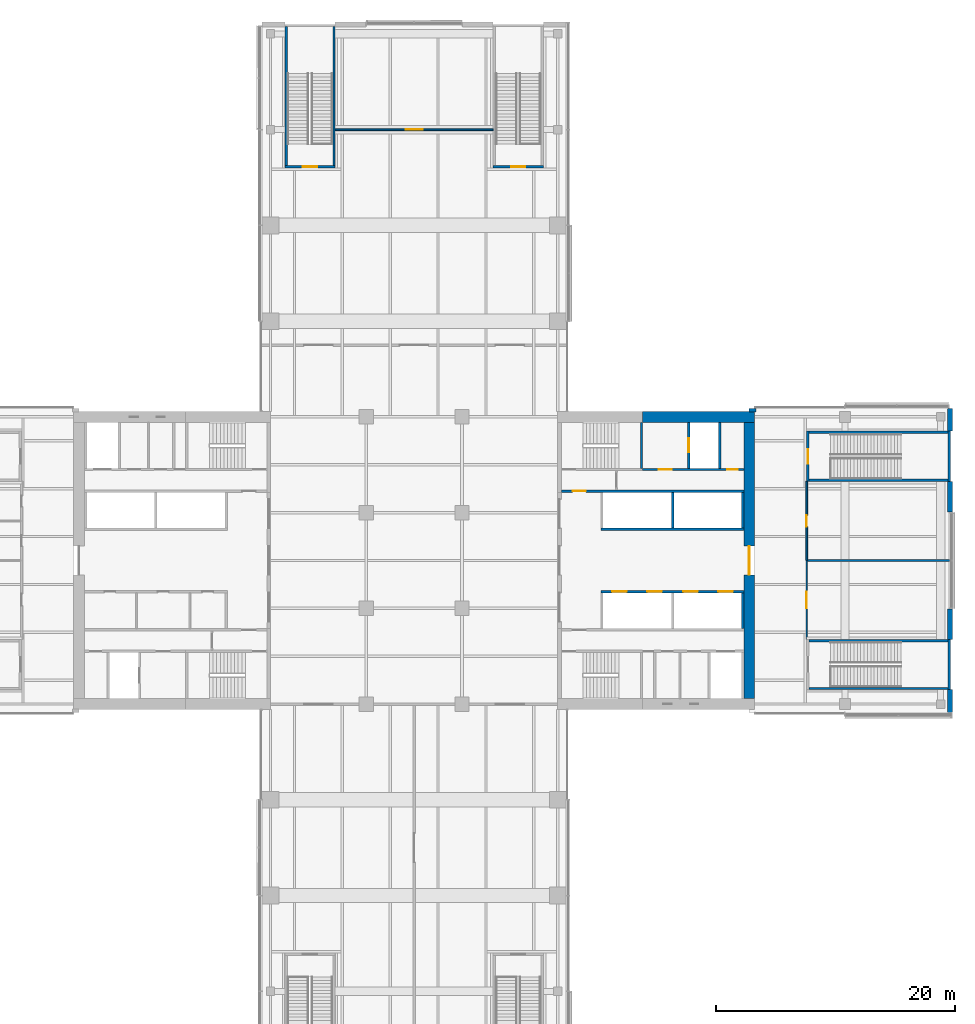
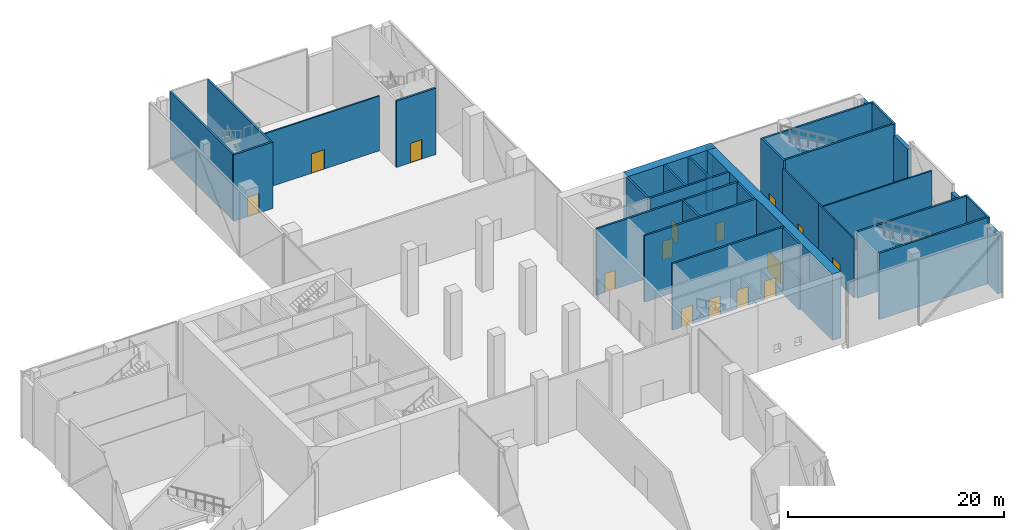
# One storey, part 17 of 25: 32 walls, 15 doors, 15 openings.
"""IFC4 building model written with IfcOpenShell, lengths in metres."""

import ifcopenshell
import ifcopenshell.guid

model = None  # the IFC model being written
_history = None  # IfcOwnerHistory: only IFC2X3 demands one
_inside = {}  # id of a spatial element -> (the spatial element, [elements in it])
_under = {}  # id of a project, library or spatial element -> (it, [spatial elements below it])
_declared = {}  # id of a project -> (the project, [libraries it declares])
_typed = {}  # id of a type object -> (the type object, [elements of that type])
_made_of = {}  # id of a material, layer set ... -> (it, [elements and type objects made of it])


def new_model(schema):
    """Start an empty IFC model of exactly this schema.

    Asked for "IFC4X3", IfcOpenShell would pick the latest addendum, in which some entities
    have other attributes; the version numbers below select the first issue.
    IFC2X3 requires an IfcOwnerHistory on every rooted entity: one is made here for all.
    """
    global model, _history
    if schema == "IFC4X3":
        model = ifcopenshell.file(schema_version=(4, 3, 0, 0))
    else:
        model = ifcopenshell.file(schema=schema)
    _inside.clear()
    _under.clear()
    _declared.clear()
    _typed.clear()
    _made_of.clear()
    _history = None
    if model.schema == "IFC2X3":
        org = make("IfcOrganization", Name="unknown")
        user = make(
            "IfcPersonAndOrganization",
            ThePerson=make("IfcPerson", FamilyName="unknown"),
            TheOrganization=org,
        )
        app = make(
            "IfcApplication",
            ApplicationDeveloper=org,
            Version="unknown",
            ApplicationFullName="unknown",
            ApplicationIdentifier="unknown",
        )
        _history = make(
            "IfcOwnerHistory",
            OwningUser=user,
            OwningApplication=app,
            ChangeAction="ADDED",
            CreationDate=0,
        )
    return model


def make(cls, **values):
    """One entity of the class cls with the attributes given. An attribute that is None is left unset."""
    return model.create_entity(
        cls, **{name: value for name, value in values.items() if value is not None}
    )


def rooted(cls, **values):
    """An entity with a GlobalId (a new one), such as an element, a storey or a relation."""
    return make(cls, GlobalId=ifcopenshell.guid.new(), OwnerHistory=_history, **values)


def si_unit(unit_type, name, prefix=None):
    """IfcSIUnit, for example si_unit("LENGTHUNIT", "METRE", prefix="MILLI")."""
    return make("IfcSIUnit", UnitType=unit_type, Prefix=prefix, Name=name)


def assignment(units):
    """IfcUnitAssignment: the units of a project."""
    return None if units is None else make("IfcUnitAssignment", Units=units)


def point(xyz):
    """IfcCartesianPoint."""
    return None if xyz is None else make("IfcCartesianPoint", Coordinates=xyz)


def direction(xyz):
    """IfcDirection."""
    return None if xyz is None else make("IfcDirection", DirectionRatios=xyz)


def frame(location, z_axis=None, x_axis=None):
    """IfcAxis2Placement3D, a coordinate frame: its origin and axes. An axis left out is left unset."""
    return make(
        "IfcAxis2Placement3D",
        Location=point(location),
        Axis=direction(z_axis),
        RefDirection=direction(x_axis),
    )


def frame_2d(location, x_axis=None):
    """IfcAxis2Placement2D, a coordinate frame in the plane: its origin and x axis."""
    return make(
        "IfcAxis2Placement2D", Location=point(location), RefDirection=direction(x_axis)
    )


def origin():
    """The frame at (0, 0, 0) with its axes left unset."""
    return frame((0.0, 0.0, 0.0))


def place(relative_to, where):
    """IfcLocalPlacement: puts the frame where relative to a parent placement (None: the world)."""
    return make(
        "IfcLocalPlacement", PlacementRelTo=relative_to, RelativePlacement=where
    )


def context(
    kind, dimensions, precision=None, world=None, true_north=None, identifier=None
):
    """IfcGeometricRepresentationContext, for example the 3D "Model" context."""
    return make(
        "IfcGeometricRepresentationContext",
        ContextIdentifier=identifier,
        ContextType=kind,
        CoordinateSpaceDimension=dimensions,
        Precision=precision,
        WorldCoordinateSystem=world,
        TrueNorth=true_north,
    )


def subcontext(parent, identifier, kind, view, scale=None):
    """IfcGeometricRepresentationSubContext, for example "Body" below "Model"."""
    return make(
        "IfcGeometricRepresentationSubContext",
        ContextIdentifier=identifier,
        ContextType=kind,
        ParentContext=parent,
        TargetScale=scale,
        TargetView=view,
    )


def project(units=None, contexts=None):
    """IfcProject with its units and contexts."""
    return rooted(
        "IfcProject",
        Name="project",
        RepresentationContexts=contexts,
        UnitsInContext=assignment(units),
    )


def spatial(cls, under=None, at=None, **own):
    """A site, building, storey or space (cls), placed at a placement, below another one or the project."""
    s = rooted(cls, ObjectPlacement=at, **own)
    if under is not None:
        _under.setdefault(under.id(), (under, []))[1].append(s)
    return s


def profile(cls, at=None, kind="AREA", **sizes):
    """A parametric profile (cls). Its sizes go by their IFC names, for example OverallWidth=200.0."""
    return make(cls, ProfileType=kind, Position=at, **sizes)


def rectangle(**sizes):
    """IfcRectangleProfileDef."""
    return profile("IfcRectangleProfileDef", **sizes)


def extrude(swept, where, along, depth):
    """IfcExtrudedAreaSolid: the profile swept, set in the frame where, extruded along a direction by depth."""
    return make(
        "IfcExtrudedAreaSolid",
        SweptArea=swept,
        Position=where,
        ExtrudedDirection=direction(along),
        Depth=depth,
    )


def shape(context_of_items, identifier, shape_type, items):
    """IfcShapeRepresentation: the items that make up one representation, for example the "Body"."""
    return make(
        "IfcShapeRepresentation",
        ContextOfItems=context_of_items,
        RepresentationIdentifier=identifier,
        RepresentationType=shape_type,
        Items=items,
    )


def material(Name=None, Category=None):
    """IfcMaterial."""
    return make("IfcMaterial", Name=Name, Category=Category)


def layer(
    of_material, thickness, ventilated=None, Name=None, Category=None, Priority=None
):
    """IfcMaterialLayer: one layer of a wall or slab, of a material (None: an air gap)."""
    return make(
        "IfcMaterialLayer",
        Material=of_material,
        LayerThickness=thickness,
        IsVentilated=ventilated,
        Name=Name,
        Category=Category,
        Priority=Priority,
    )


def layer_set(layers, Name=None):
    """IfcMaterialLayerSet."""
    return make("IfcMaterialLayerSet", MaterialLayers=layers, LayerSetName=Name)


def constituent(of_material, Name=None, Category=None, fraction=None):
    """IfcMaterialConstituent: one of the materials an element consists of."""
    return make(
        "IfcMaterialConstituent",
        Name=Name,
        Material=of_material,
        Fraction=fraction,
        Category=Category,
    )


def constituent_set(constituents=None, Name=None):
    """IfcMaterialConstituentSet."""
    return make(
        "IfcMaterialConstituentSet", Name=Name, MaterialConstituents=constituents
    )


def made_of(thing, what):
    """Note that an element or type object is made of a material, layer set ...; save() writes the relation."""
    if what is not None:
        _made_of.setdefault(what.id(), (what, []))[1].append(thing)
    return thing


def type_object(cls, material=None, **own):
    """A type object (cls), such as IfcWallType, which elements share."""
    return made_of(rooted(cls, **own), material)


def element(
    cls,
    number,
    at=None,
    inside=None,
    cuts=None,
    type_object=None,
    material=None,
    context=None,
    identifier="Body",
    shape_type=None,
    held_by="IfcProductDefinitionShape",
    body=None,
    shapes=None,
    **own,
):
    """One element of the class cls, such as IfcWall. Its Tag is "e" and its number.

    at: its placement. inside: the storey or other place that contains it. cuts: it is an
    opening in that element (IfcRelVoidsElement). A single representation is given by context,
    identifier, shape_type and body (its items); several are given by shapes. held_by: the class
    of the entity that holds the representations. save() writes the other relations.
    """
    e = rooted(cls, Tag="e%d" % number, ObjectPlacement=at, **own)
    if body is not None:
        shapes = [shape(context, identifier, shape_type, body)]
    if shapes is not None:
        e.Representation = make(held_by, Representations=shapes)
    if inside is not None:
        _inside.setdefault(inside.id(), (inside, []))[1].append(e)
    if cuts is not None:
        rooted(
            "IfcRelVoidsElement", RelatingBuildingElement=cuts, RelatedOpeningElement=e
        )
    if type_object is not None:
        _typed.setdefault(type_object.id(), (type_object, []))[1].append(e)
    return made_of(e, material)


def fill(opening, filler):
    """IfcRelFillsElement: the door or window that sits in an opening."""
    return rooted(
        "IfcRelFillsElement",
        RelatingOpeningElement=opening,
        RelatedBuildingElement=filler,
    )


def aggregate(whole, parts):
    """IfcRelAggregates: a whole, such as a stair, and the parts it consists of."""
    return rooted("IfcRelAggregates", RelatingObject=whole, RelatedObjects=parts)


def save(model, path):
    """Write the relations noted so far, then the file.

    IfcRelAggregates (storeys below a building ...), IfcRelContainedInSpatialStructure (elements
    in a storey), IfcRelDefinesByType, IfcRelAssociatesMaterial and IfcRelDeclares: one each for
    every whole, place, type object, material and project.
    """
    for whole, parts in _under.values():
        aggregate(whole, parts)
    for where, things in _inside.values():
        rooted(
            "IfcRelContainedInSpatialStructure",
            RelatedElements=things,
            RelatingStructure=where,
        )
    for kind, things in _typed.values():
        rooted("IfcRelDefinesByType", RelatedObjects=things, RelatingType=kind)
    for what, things in _made_of.values():
        rooted("IfcRelAssociatesMaterial", RelatedObjects=things, RelatingMaterial=what)
    for by, libraries in _declared.values():
        rooted("IfcRelDeclares", RelatingContext=by, RelatedDefinitions=libraries)
    model.write(path)


model = new_model("IFC4")

# Units and contexts
model_context = context("Model", 3, precision=1e-05, world=origin(), true_north=direction((0.0, 1.0)))
body_context = subcontext(model_context, "Body", "Model", "MODEL_VIEW")
ifc_project = project(units=[si_unit("LENGTHUNIT", "METRE"), si_unit("AREAUNIT", "SQUARE_METRE"), si_unit("VOLUMEUNIT", "CUBIC_METRE"), si_unit("PLANEANGLEUNIT", "RADIAN"), si_unit("MASSUNIT", "GRAM", prefix="KILO")], contexts=[model_context])

# Site, building, storey
site_placement = place(None, origin())
site = spatial("IfcSite", under=ifc_project, at=site_placement, CompositionType="ELEMENT")
building_placement = place(site_placement, origin())
building = spatial("IfcBuilding", under=site, at=building_placement, Name="Crosswind Convention Tower", CompositionType="ELEMENT")
storey_placement = place(building_placement, frame((0.0, 0.0, 34.0)))
storey = spatial("IfcBuildingStorey", under=building, at=storey_placement, Name="L04", CompositionType="ELEMENT", Elevation=34.0)

# Wall, opening, door
ifc_material_1 = material(Name="Plasterboard partition", Category="gypsum")
ifc_layer_1 = layer(ifc_material_1, 0.14990234375)
ifc_layer_set_1 = layer_set([ifc_layer_1], Name="CORRIDOR WALL 150")
wall_type_1 = type_object("IfcWallType", Name="CORRIDOR WALL 150", PredefinedType="PARTITIONING", material=ifc_layer_set_1)
wall_1_placement = place(storey_placement, frame((157.800048828125, 100.0, 0.0), z_axis=(0.0, 0.0, 1.0), x_axis=(0.0, 1.0, 0.0)))
wall_1 = element("IfcWall", 1, at=wall_1_placement, inside=storey, type_object=wall_type_1, Name="Corridor Wall 40", PredefinedType="PARTITIONING", context=body_context, shape_type="SweptSolid", body=[
    extrude(rectangle(XDim=6.60009765625, YDim=0.14990234375, at=frame_2d((3.300048828125, 0.0))), origin(), (0.0, 0.0, 1.0), 6.636474609375),
])
opening_1_placement = place(wall_1_placement, frame((2.800048828125, 0.0, 0.0)))
opening_1 = element("IfcOpeningElement", 2, at=opening_1_placement, cuts=wall_1, Name="Opening 04.009", PredefinedType="OPENING", context=body_context, shape_type="SweptSolid", body=[
    extrude(rectangle(XDim=1.0, YDim=2.10009765625, at=frame_2d((0.5, 1.050048828125))), frame((0.0, 0.0849609375, 0.0), z_axis=(0.0, -1.0, 0.0), x_axis=(1.0, 0.0, 0.0)), (0.0, 0.0, 1.0), 0.169921875),
])
ifc_material_2 = material(Name="Timber fire door", Category="wood")
door_type_1 = type_object("IfcDoorType", Name="SERVICE ROOM DOOR 1000X2100", OperationType="NOTDEFINED", PredefinedType="DOOR", material=ifc_material_2)
door_1_placement = place(opening_1_placement, frame((1.0, 0.0, 0.0), z_axis=(0.0, 0.0, 1.0), x_axis=(-1.0, 0.0, 0.0)))
door_1 = element("IfcDoor", 3, at=door_1_placement, inside=storey, type_object=door_type_1, Name="Door 04.009", ObjectType="D3", OperationType="SINGLE_SWING_RIGHT", OverallHeight=2.10009765625, OverallWidth=1.0, PredefinedType="DOOR", context=body_context, shape_type="SweptSolid", body=[
    extrude(rectangle(XDim=1.0, YDim=2.10009765625, at=frame_2d((0.5, 1.050048828125))), frame((0.0, 0.02490234375, 0.0), z_axis=(0.0, -1.0, 0.0), x_axis=(1.0, 0.0, 0.0)), (0.0, 0.0, 1.0), 0.050048828125),
])
fill(opening_1, door_1)

ifc_material_3 = material(Name="Concrete C60/75", Category="concrete")
ifc_layer_2 = layer(ifc_material_3, 0.89990234375)
ifc_layer_set_2 = layer_set([ifc_layer_2], Name="Concrete C60/75")
wall_type_2 = type_object("IfcWallType", Name="Concrete core wall 900", PredefinedType="SHEAR", material=ifc_layer_set_2)
wall_2_placement = place(storey_placement, frame((153.0, 88.449951171875, 0.0), z_axis=(0.0, 0.0, 1.0), x_axis=(0.0, 1.0, 0.0)))
wall_2 = element("IfcWall", 4, at=wall_2_placement, inside=storey, type_object=wall_type_2, Name="Wall O E L04", PredefinedType="SHEAR", context=body_context, shape_type="SweptSolid", body=[
    extrude(rectangle(XDim=23.10009765625, YDim=0.89990234375, at=frame_2d((11.550048828125, 0.0))), origin(), (0.0, 0.0, 1.0), 7.5),
])
opening_2_placement = place(wall_2_placement, frame((10.35009765625, 0.0, 0.0)))
opening_2 = element("IfcOpeningElement", 5, at=opening_2_placement, cuts=wall_2, Name="Opening D100", PredefinedType="OPENING", context=body_context, shape_type="SweptSolid", body=[
    extrude(rectangle(XDim=2.39990234375, YDim=2.39990234375, at=frame_2d((1.199951171875, 1.199951171875))), frame((0.0, 0.4599609375, 0.0), z_axis=(0.0, -1.0, 0.0), x_axis=(1.0, 0.0, 0.0)), (0.0, 0.0, 1.0), 0.919921875),
])
ifc_material_4 = material(Name="Steel fire door with glazed vision panels", Category="steel")
door_type_2 = type_object("IfcDoorType", Name="Fire-rated double door 2400x2400", OperationType="DOUBLE_DOOR_SINGLE_SWING", PredefinedType="DOOR", material=ifc_material_4)
door_2_placement = place(opening_2_placement, frame((2.39990234375, 0.0, 0.0), z_axis=(0.0, 0.0, 1.0), x_axis=(-1.0, 0.0, 0.0)))
door_2 = element("IfcDoor", 6, at=door_2_placement, inside=storey, type_object=door_type_2, Name="Lobby outer door L04", ObjectType="D100", OperationType="DOUBLE_DOOR_SINGLE_SWING", OverallHeight=2.39990234375, OverallWidth=2.39990234375, PredefinedType="DOOR", context=body_context, shape_type="SweptSolid", body=[
    extrude(rectangle(XDim=2.39990234375, YDim=2.39990234375, at=frame_2d((1.199951171875, 1.199951171875))), frame((0.0, 0.02490234375, 0.0), z_axis=(0.0, -1.0, 0.0), x_axis=(1.0, 0.0, 0.0)), (0.0, 0.0, 1.0), 0.050048828125),
])
fill(opening_2, door_2)

# Walls
ifc_material_5 = material(Name="Concrete C50/60", Category="concrete")
ifc_layer_3 = layer(ifc_material_5, 0.199951171875)
ifc_layer_set_3 = layer_set([ifc_layer_3], Name="Concrete C50/60")
wall_type_3 = type_object("IfcWallType", Name="Concrete shaft and stair wall 200", PredefinedType="SHEAR", material=ifc_layer_set_3)
for number, where, z_axis, x_axis, name in (
    (7, (146.60009765625, 102.699951171875, 0.0), (0.0, 0.0, 1.0), (0.0, 1.0, 0.0), "Wall RPSEP E L04"),
    (8, (152.449951171875, 102.699951171875, 0.0), (0.0, 0.0, 1.0), (0.0, 1.0, 0.0), "Wall RPEAST E L04"),
):
    element("IfcWall", number, at=place(storey_placement, frame(where, z_axis=z_axis, x_axis=x_axis)), inside=storey, type_object=wall_type_3, Name=name, PredefinedType="SHEAR", context=body_context, shape_type="SweptSolid", body=[
        extrude(rectangle(XDim=3.0, YDim=0.199951171875, at=frame_2d((1.5, 0.0))), origin(), (0.0, 0.0, 1.0), 7.5),
    ])
wall_3_placement = place(storey_placement, frame((140.60009765625, 102.60009765625, 0.0), z_axis=(0.0, 0.0, 1.0), x_axis=(1.0, 0.0, 0.0)))
element("IfcWall", 9, at=wall_3_placement, inside=storey, type_object=wall_type_3, Name="Wall RPFRONT E L04", PredefinedType="SHEAR", context=body_context, shape_type="SweptSolid", body=[
    extrude(rectangle(XDim=11.949951171875, YDim=0.199951171875, at=frame_2d((5.97509765625, 0.0))), origin(), (0.0, 0.0, 1.0), 7.5),
])
wall_4_placement = place(storey_placement, frame((152.449951171875, 94.300048828125, 0.0), z_axis=(0.0, 0.0, 1.0), x_axis=(0.0, 1.0, 0.0)))
element("IfcWall", 10, at=wall_4_placement, inside=storey, type_object=wall_type_3, Name="Wall RMEAST E L04", PredefinedType="SHEAR", context=body_context, shape_type="SweptSolid", body=[
    extrude(rectangle(XDim=3.0, YDim=0.199951171875, at=frame_2d((1.5, 0.0))), origin(), (0.0, 0.0, 1.0), 7.5),
])

# Wall, openings, doors
wall_5_placement = place(storey_placement, frame((140.60009765625, 97.39990234375, 0.0), z_axis=(0.0, 0.0, 1.0), x_axis=(1.0, 0.0, 0.0)))
wall_5 = element("IfcWall", 11, at=wall_5_placement, inside=storey, type_object=wall_type_3, Name="Wall RMFRONT E L04", PredefinedType="SHEAR", context=body_context, shape_type="SweptSolid", body=[
    extrude(rectangle(XDim=11.949951171875, YDim=0.199951171875, at=frame_2d((5.97509765625, 0.0))), origin(), (0.0, 0.0, 1.0), 7.5),
])
opening_3_placement = place(wall_5_placement, frame((0.949951171875, 0.0, 0.0)))
opening_3 = element("IfcOpeningElement", 12, at=opening_3_placement, cuts=wall_5, Name="Opening LD1", PredefinedType="OPENING", context=body_context, shape_type="SweptSolid", body=[
    extrude(rectangle(XDim=1.199951171875, YDim=2.10009765625, at=frame_2d((0.60009765625, 1.050048828125))), frame((0.0, 0.10986328125, 0.0), z_axis=(0.0, -1.0, 0.0), x_axis=(1.0, 0.0, 0.0)), (0.0, 0.0, 1.0), 0.219970703125),
])
opening_4_placement = place(wall_5_placement, frame((3.89990234375, 0.0, 0.0)))
opening_4 = element("IfcOpeningElement", 13, at=opening_4_placement, cuts=wall_5, Name="Opening LD1", PredefinedType="OPENING", context=body_context, shape_type="SweptSolid", body=[
    extrude(rectangle(XDim=1.199951171875, YDim=2.10009765625, at=frame_2d((0.60009765625, 1.050048828125))), frame((0.0, 0.10986328125, 0.0), z_axis=(0.0, -1.0, 0.0), x_axis=(1.0, 0.0, 0.0)), (0.0, 0.0, 1.0), 0.219970703125),
])
opening_5_placement = place(wall_5_placement, frame((6.89990234375, 0.0, 0.0)))
opening_5 = element("IfcOpeningElement", 14, at=opening_5_placement, cuts=wall_5, Name="Opening LD1", PredefinedType="OPENING", context=body_context, shape_type="SweptSolid", body=[
    extrude(rectangle(XDim=1.199951171875, YDim=2.10009765625, at=frame_2d((0.60009765625, 1.050048828125))), frame((0.0, 0.10986328125, 0.0), z_axis=(0.0, -1.0, 0.0), x_axis=(1.0, 0.0, 0.0)), (0.0, 0.0, 1.0), 0.219970703125),
])
opening_6_placement = place(wall_5_placement, frame((9.824951171875, 0.0, 0.0)))
opening_6 = element("IfcOpeningElement", 15, at=opening_6_placement, cuts=wall_5, Name="Opening LD1", PredefinedType="OPENING", context=body_context, shape_type="SweptSolid", body=[
    extrude(rectangle(XDim=1.199951171875, YDim=2.10009765625, at=frame_2d((0.60009765625, 1.050048828125))), frame((0.0, 0.10986328125, 0.0), z_axis=(0.0, -1.0, 0.0), x_axis=(1.0, 0.0, 0.0)), (0.0, 0.0, 1.0), 0.219970703125),
])
ifc_material_6 = material(Name="Stainless steel", Category="steel")
door_type_3 = type_object("IfcDoorType", Name="Lift landing door 1200x2100", OperationType="DOUBLE_DOOR_SLIDING", PredefinedType="DOOR", material=ifc_material_6)
door_3_placement = place(opening_3_placement, origin())
door_3 = element("IfcDoor", 16, at=door_3_placement, inside=storey, type_object=door_type_3, Name="Landing door H1 L04", ObjectType="LD1", OperationType="DOUBLE_DOOR_SLIDING", OverallHeight=2.10009765625, OverallWidth=1.199951171875, PredefinedType="DOOR", context=body_context, shape_type="SweptSolid", body=[
    extrude(rectangle(XDim=1.199951171875, YDim=2.10009765625, at=frame_2d((0.60009765625, 1.050048828125))), frame((0.0, 0.02490234375, 0.0), z_axis=(0.0, -1.0, 0.0), x_axis=(1.0, 0.0, 0.0)), (0.0, 0.0, 1.0), 0.050048828125),
])
fill(opening_3, door_3)
door_4_placement = place(opening_4_placement, origin())
door_4 = element("IfcDoor", 17, at=door_4_placement, inside=storey, type_object=door_type_3, Name="Landing door H2 L04", ObjectType="LD1", OperationType="DOUBLE_DOOR_SLIDING", OverallHeight=2.10009765625, OverallWidth=1.199951171875, PredefinedType="DOOR", context=body_context, shape_type="SweptSolid", body=[
    extrude(rectangle(XDim=1.199951171875, YDim=2.10009765625, at=frame_2d((0.60009765625, 1.050048828125))), frame((0.0, 0.02490234375, 0.0), z_axis=(0.0, -1.0, 0.0), x_axis=(1.0, 0.0, 0.0)), (0.0, 0.0, 1.0), 0.050048828125),
])
fill(opening_4, door_4)
door_5_placement = place(opening_5_placement, origin())
door_5 = element("IfcDoor", 18, at=door_5_placement, inside=storey, type_object=door_type_3, Name="Landing door H3 L04", ObjectType="LD1", OperationType="DOUBLE_DOOR_SLIDING", OverallHeight=2.10009765625, OverallWidth=1.199951171875, PredefinedType="DOOR", context=body_context, shape_type="SweptSolid", body=[
    extrude(rectangle(XDim=1.199951171875, YDim=2.10009765625, at=frame_2d((0.60009765625, 1.050048828125))), frame((0.0, 0.02490234375, 0.0), z_axis=(0.0, -1.0, 0.0), x_axis=(1.0, 0.0, 0.0)), (0.0, 0.0, 1.0), 0.050048828125),
])
fill(opening_5, door_5)
door_6_placement = place(opening_6_placement, origin())
door_6 = element("IfcDoor", 19, at=door_6_placement, inside=storey, type_object=door_type_3, Name="Landing door H4 L04", ObjectType="LD1", OperationType="DOUBLE_DOOR_SLIDING", OverallHeight=2.10009765625, OverallWidth=1.199951171875, PredefinedType="DOOR", context=body_context, shape_type="SweptSolid", body=[
    extrude(rectangle(XDim=1.199951171875, YDim=2.10009765625, at=frame_2d((0.60009765625, 1.050048828125))), frame((0.0, 0.02490234375, 0.0), z_axis=(0.0, -1.0, 0.0), x_axis=(1.0, 0.0, 0.0)), (0.0, 0.0, 1.0), 0.050048828125),
])
fill(opening_6, door_6)

# Wall, opening, door
wall_6_placement = place(storey_placement, frame((137.300048828125, 105.800048828125, 0.0), z_axis=(0.0, 0.0, 1.0), x_axis=(1.0, 0.0, 0.0)))
wall_6 = element("IfcWall", 20, at=wall_6_placement, inside=storey, type_object=wall_type_3, Name="Wall HP E L04", PredefinedType="SHEAR", context=body_context, shape_type="SweptSolid", body=[
    extrude(rectangle(XDim=15.25, YDim=0.199951171875, at=frame_2d((7.625, 0.0))), origin(), (0.0, 0.0, 1.0), 7.5),
])
opening_7_placement = place(wall_6_placement, frame((0.949951171875, 0.0, 0.0)))
opening_7 = element("IfcOpeningElement", 21, at=opening_7_placement, cuts=wall_6, Name="Opening D104", PredefinedType="OPENING", context=body_context, shape_type="SweptSolid", body=[
    extrude(rectangle(XDim=1.10009765625, YDim=2.10009765625, at=frame_2d((0.550048828125, 1.050048828125))), frame((0.0, 0.10986328125, 0.0), z_axis=(0.0, -1.0, 0.0), x_axis=(1.0, 0.0, 0.0)), (0.0, 0.0, 1.0), 0.219970703125),
])
ifc_material_7 = material(Name="Steel fire door", Category="steel")
door_type_4 = type_object("IfcDoorType", Name="Fire-rated single door 1100x2100", OperationType="NOTDEFINED", PredefinedType="DOOR", material=ifc_material_7)
door_7_placement = place(opening_7_placement, frame((1.10009765625, 0.0, 0.0), z_axis=(0.0, 0.0, 1.0), x_axis=(-1.0, 0.0, 0.0)))
door_7 = element("IfcDoor", 22, at=door_7_placement, inside=storey, type_object=door_type_4, Name="Corridor door L04", ObjectType="D104", OperationType="SINGLE_SWING_RIGHT", OverallHeight=2.10009765625, OverallWidth=1.10009765625, PredefinedType="DOOR", context=body_context, shape_type="SweptSolid", body=[
    extrude(rectangle(XDim=1.10009765625, YDim=2.10009765625, at=frame_2d((0.550048828125, 1.050048828125))), frame((0.0, 0.02490234375, 0.0), z_axis=(0.0, -1.0, 0.0), x_axis=(1.0, 0.0, 0.0)), (0.0, 0.0, 1.0), 0.050048828125),
])
fill(opening_7, door_7)

# Wall
wall_7_placement = place(storey_placement, frame((144.0, 107.699951171875, 0.0), z_axis=(0.0, 0.0, 1.0), x_axis=(0.0, 1.0, 0.0)))
element("IfcWall", 23, at=wall_7_placement, inside=storey, type_object=wall_type_3, Name="Wall PSE E L04", PredefinedType="SHEAR", context=body_context, shape_type="SweptSolid", body=[
    extrude(rectangle(XDim=3.85009765625, YDim=0.199951171875, at=frame_2d((1.925048828125, 0.0))), origin(), (0.0, 0.0, 1.0), 7.5),
])

# Wall, opening, door
wall_8_placement = place(storey_placement, frame((147.949951171875, 107.699951171875, 0.0), z_axis=(0.0, 0.0, 1.0), x_axis=(0.0, 1.0, 0.0)))
wall_8 = element("IfcWall", 24, at=wall_8_placement, inside=storey, type_object=wall_type_3, Name="Wall PFLW E L04", PredefinedType="SHEAR", context=body_context, shape_type="SweptSolid", body=[
    extrude(rectangle(XDim=3.85009765625, YDim=0.199951171875, at=frame_2d((1.925048828125, 0.0))), origin(), (0.0, 0.0, 1.0), 7.5),
])
opening_8_placement = place(wall_8_placement, frame((1.324951171875, 0.0, 0.0)))
opening_8 = element("IfcOpeningElement", 25, at=opening_8_placement, cuts=wall_8, Name="Opening LD1", PredefinedType="OPENING", context=body_context, shape_type="SweptSolid", body=[
    extrude(rectangle(XDim=1.199951171875, YDim=2.10009765625, at=frame_2d((0.60009765625, 1.050048828125))), frame((0.0, 0.10986328125, 0.0), z_axis=(0.0, -1.0, 0.0), x_axis=(1.0, 0.0, 0.0)), (0.0, 0.0, 1.0), 0.219970703125),
])
door_8_placement = place(opening_8_placement, origin())
door_8 = element("IfcDoor", 26, at=door_8_placement, inside=storey, type_object=door_type_3, Name="Landing door FF1 L04", ObjectType="LD1", OperationType="DOUBLE_DOOR_SLIDING", OverallHeight=2.10009765625, OverallWidth=1.199951171875, PredefinedType="DOOR", context=body_context, shape_type="SweptSolid", body=[
    extrude(rectangle(XDim=1.199951171875, YDim=2.10009765625, at=frame_2d((0.60009765625, 1.050048828125))), frame((0.0, 0.02490234375, 0.0), z_axis=(0.0, -1.0, 0.0), x_axis=(1.0, 0.0, 0.0)), (0.0, 0.0, 1.0), 0.050048828125),
])
fill(opening_8, door_8)

# Wall
wall_9_placement = place(storey_placement, frame((150.550048828125, 107.699951171875, 0.0), z_axis=(0.0, 0.0, 1.0), x_axis=(0.0, 1.0, 0.0)))
element("IfcWall", 27, at=wall_9_placement, inside=storey, type_object=wall_type_3, Name="Wall PFSE E L04", PredefinedType="SHEAR", context=body_context, shape_type="SweptSolid", body=[
    extrude(rectangle(XDim=3.85009765625, YDim=0.199951171875, at=frame_2d((1.925048828125, 0.0))), origin(), (0.0, 0.0, 1.0), 7.5),
])

# Wall, openings, doors
wall_10_placement = place(storey_placement, frame((144.10009765625, 107.60009765625, 0.0), z_axis=(0.0, 0.0, 1.0), x_axis=(1.0, 0.0, 0.0)))
wall_10 = element("IfcWall", 28, at=wall_10_placement, inside=storey, type_object=wall_type_3, Name="Wall PCX E L04", PredefinedType="SHEAR", context=body_context, shape_type="SweptSolid", body=[
    extrude(rectangle(XDim=8.449951171875, YDim=0.199951171875, at=frame_2d((4.22509765625, 0.0))), origin(), (0.0, 0.0, 1.0), 7.5),
])
opening_9_placement = place(wall_10_placement, frame((1.324951171875, 0.0, 0.0)))
opening_9 = element("IfcOpeningElement", 29, at=opening_9_placement, cuts=wall_10, Name="Opening D104", PredefinedType="OPENING", context=body_context, shape_type="SweptSolid", body=[
    extrude(rectangle(XDim=1.10009765625, YDim=2.10009765625, at=frame_2d((0.550048828125, 1.050048828125))), frame((0.0, 0.10986328125, 0.0), z_axis=(0.0, -1.0, 0.0), x_axis=(1.0, 0.0, 0.0)), (0.0, 0.0, 1.0), 0.219970703125),
])
opening_10_placement = place(wall_10_placement, frame((7.050048828125, 0.0, 0.0)))
opening_10 = element("IfcOpeningElement", 30, at=opening_10_placement, cuts=wall_10, Name="Opening D106", PredefinedType="OPENING", context=body_context, shape_type="SweptSolid", body=[
    extrude(rectangle(XDim=0.89990234375, YDim=2.10009765625, at=frame_2d((0.449951171875, 1.050048828125))), frame((0.0, 0.10986328125, 0.0), z_axis=(0.0, -1.0, 0.0), x_axis=(1.0, 0.0, 0.0)), (0.0, 0.0, 1.0), 0.219970703125),
])
door_9_placement = place(opening_9_placement, frame((1.10009765625, 0.0, 0.0), z_axis=(0.0, 0.0, 1.0), x_axis=(-1.0, 0.0, 0.0)))
door_9 = element("IfcDoor", 31, at=door_9_placement, inside=storey, type_object=door_type_4, Name="Fire-fighting lobby FF1 door L04", ObjectType="D104", OperationType="SINGLE_SWING_RIGHT", OverallHeight=2.10009765625, OverallWidth=1.10009765625, PredefinedType="DOOR", context=body_context, shape_type="SweptSolid", body=[
    extrude(rectangle(XDim=1.10009765625, YDim=2.10009765625, at=frame_2d((0.550048828125, 1.050048828125))), frame((0.0, 0.02490234375, 0.0), z_axis=(0.0, -1.0, 0.0), x_axis=(1.0, 0.0, 0.0)), (0.0, 0.0, 1.0), 0.050048828125),
])
fill(opening_9, door_9)
ifc_material_8 = material(Name="Timber door", Category="wood")
door_type_5 = type_object("IfcDoorType", Name="Single leaf door 900x2100", OperationType="NOTDEFINED", PredefinedType="DOOR", material=ifc_material_8)
door_10_placement = place(opening_10_placement, origin())
door_10 = element("IfcDoor", 32, at=door_10_placement, inside=storey, type_object=door_type_5, Name="Door to cleaners' store L04", ObjectType="D106", OperationType="SINGLE_SWING_RIGHT", OverallHeight=2.10009765625, OverallWidth=0.89990234375, PredefinedType="DOOR", context=body_context, shape_type="SweptSolid", body=[
    extrude(rectangle(XDim=0.89990234375, YDim=2.10009765625, at=frame_2d((0.449951171875, 1.050048828125))), frame((0.0, 0.02490234375, 0.0), z_axis=(0.0, -1.0, 0.0), x_axis=(1.0, 0.0, 0.0)), (0.0, 0.0, 1.0), 0.050048828125),
])
fill(opening_10, door_10)

# Wall
ifc_material_9 = material(Name="Tiled blockwork", Category="masonry")
ifc_layer_4 = layer(ifc_material_9, 0.14990234375)
ifc_layer_set_4 = layer_set([ifc_layer_4], Name="KITCHEN WALL 150")
wall_type_4 = type_object("IfcWallType", Name="KITCHEN WALL 150", PredefinedType="SOLIDWALL", material=ifc_layer_set_4)
wall_11_placement = place(storey_placement, frame((157.875, 100.0, 0.0), z_axis=(0.0, 0.0, 1.0), x_axis=(1.0, 0.0, 0.0)))
element("IfcWall", 33, at=wall_11_placement, inside=storey, type_object=wall_type_4, Name="Kitchen Wall 13", PredefinedType="SOLIDWALL", context=body_context, shape_type="SweptSolid", body=[
    extrude(rectangle(XDim=11.925048828125, YDim=0.14990234375, at=frame_2d((5.96240234375, 0.0))), origin(), (0.0, 0.0, 1.0), 6.199951171875),
])

# Wall, opening, door
wall_12_placement = place(storey_placement, frame((118.39990234375, 136.0, 0.0), z_axis=(0.0, 0.0, 1.0), x_axis=(1.0, 0.0, 0.0)))
wall_12 = element("IfcWall", 34, at=wall_12_placement, inside=storey, type_object=wall_type_4, Name="Kitchen Wall 22", PredefinedType="SOLIDWALL", context=body_context, shape_type="SweptSolid", body=[
    extrude(rectangle(XDim=13.2001953125, YDim=0.14990234375, at=frame_2d((6.60009765625, 0.0))), origin(), (0.0, 0.0, 1.0), 6.199951171875),
])
opening_11_placement = place(wall_12_placement, frame((5.89990234375, 0.0, 0.0)))
opening_11 = element("IfcOpeningElement", 35, at=opening_11_placement, cuts=wall_12, Name="Opening 04.004", PredefinedType="OPENING", context=body_context, shape_type="SweptSolid", body=[
    extrude(rectangle(XDim=1.39990234375, YDim=2.199951171875, at=frame_2d((0.699951171875, 1.10009765625))), frame((0.0, 0.0849609375, 0.0), z_axis=(0.0, -1.0, 0.0), x_axis=(1.0, 0.0, 0.0)), (0.0, 0.0, 1.0), 0.169921875),
])
ifc_material_10 = material(Name="Stainless steel door", Category="steel")
door_type_6 = type_object("IfcDoorType", Name="KITCHEN DOOR 1400X2200", OperationType="DOUBLE_DOOR_SINGLE_SWING", PredefinedType="DOOR", material=ifc_material_10)
door_11_placement = place(opening_11_placement, origin())
door_11 = element("IfcDoor", 36, at=door_11_placement, inside=storey, type_object=door_type_6, Name="Door 04.004", ObjectType="D12", OperationType="DOUBLE_DOOR_SINGLE_SWING", OverallHeight=2.199951171875, OverallWidth=1.39990234375, PredefinedType="DOOR", context=body_context, shape_type="SweptSolid", body=[
    extrude(rectangle(XDim=1.39990234375, YDim=2.199951171875, at=frame_2d((0.699951171875, 1.10009765625))), frame((0.0, 0.02490234375, 0.0), z_axis=(0.0, -1.0, 0.0), x_axis=(1.0, 0.0, 0.0)), (0.0, 0.0, 1.0), 0.050048828125),
])
fill(opening_11, door_11)

wall_13_placement = place(storey_placement, frame((157.800048828125, 93.39990234375, 0.0), z_axis=(0.0, 0.0, 1.0), x_axis=(0.0, 1.0, 0.0)))
wall_13 = element("IfcWall", 37, at=wall_13_placement, inside=storey, type_object=wall_type_4, Name="Kitchen Wall 39", PredefinedType="SOLIDWALL", context=body_context, shape_type="SweptSolid", body=[
    extrude(rectangle(XDim=6.60009765625, YDim=0.14990234375, at=frame_2d((3.300048828125, 0.0))), origin(), (0.0, 0.0, 1.0), 6.636474609375),
])
opening_12_placement = place(wall_13_placement, frame((2.60009765625, 0.0, 0.0)))
opening_12 = element("IfcOpeningElement", 38, at=opening_12_placement, cuts=wall_13, Name="Opening 04.008", PredefinedType="OPENING", context=body_context, shape_type="SweptSolid", body=[
    extrude(rectangle(XDim=1.39990234375, YDim=2.199951171875, at=frame_2d((0.699951171875, 1.10009765625))), frame((0.0, 0.0849609375, 0.0), z_axis=(0.0, -1.0, 0.0), x_axis=(1.0, 0.0, 0.0)), (0.0, 0.0, 1.0), 0.169921875),
])
door_12_placement = place(opening_12_placement, frame((1.39990234375, 0.0, 0.0), z_axis=(0.0, 0.0, 1.0), x_axis=(-1.0, 0.0, 0.0)))
door_12 = element("IfcDoor", 39, at=door_12_placement, inside=storey, type_object=door_type_6, Name="Door 04.008", ObjectType="D12", OperationType="DOUBLE_DOOR_SINGLE_SWING", OverallHeight=2.199951171875, OverallWidth=1.39990234375, PredefinedType="DOOR", context=body_context, shape_type="SweptSolid", body=[
    extrude(rectangle(XDim=1.39990234375, YDim=2.199951171875, at=frame_2d((0.699951171875, 1.10009765625))), frame((0.0, 0.02490234375, 0.0), z_axis=(0.0, -1.0, 0.0), x_axis=(1.0, 0.0, 0.0)), (0.0, 0.0, 1.0), 0.050048828125),
])
fill(opening_12, door_12)

# Walls
ifc_material_11 = material(Name="Concrete C40/50", Category="concrete")
ifc_layer_5 = layer(ifc_material_11, 0.199951171875)
ifc_layer_set_5 = layer_set([ifc_layer_5], Name="Concrete C40/50")
wall_type_5 = type_object("IfcWallType", Name="STAIR ENCLOSURE WALL 200", PredefinedType="SOLIDWALL", material=ifc_layer_set_5)
for number, where, z_axis, x_axis, name in (
    (40, (158.0, 89.300048828125, 0.0), (0.0, 0.0, 1.0), (1.0, 0.0, 0.0), "Stair Enclosure Wall 9"),
    (41, (158.0, 93.300048828125, 0.0), (0.0, 0.0, 1.0), (1.0, 0.0, 0.0), "Stair Enclosure Wall 11"),
    (42, (158.0, 106.699951171875, 0.0), (0.0, 0.0, 1.0), (1.0, 0.0, 0.0), "Stair Enclosure Wall 16"),
    (43, (158.0, 110.699951171875, 0.0), (0.0, 0.0, 1.0), (1.0, 0.0, 0.0), "Stair Enclosure Wall 18"),
):
    element("IfcWall", number, at=place(storey_placement, frame(where, z_axis=z_axis, x_axis=x_axis)), inside=storey, type_object=wall_type_5, Name=name, PredefinedType="SOLIDWALL", context=body_context, shape_type="SweptSolid", body=[
        extrude(rectangle(XDim=11.60009765625, YDim=0.199951171875, at=frame_2d((5.800048828125, 0.0))), origin(), (0.0, 0.0, 1.0), 7.5),
    ])

# Wall, opening, door
wall_14_placement = place(storey_placement, frame((114.199951171875, 132.89990234375, 0.0), z_axis=(0.0, 0.0, 1.0), x_axis=(1.0, 0.0, 0.0)))
wall_14 = element("IfcWall", 44, at=wall_14_placement, inside=storey, type_object=wall_type_5, Name="Stair Enclosure Wall 20", PredefinedType="SOLIDWALL", context=body_context, shape_type="SweptSolid", body=[
    extrude(rectangle(XDim=4.199951171875, YDim=0.199951171875, at=frame_2d((2.10009765625, 0.0))), origin(), (0.0, 0.0, 1.0), 7.5),
])
opening_13_placement = place(wall_14_placement, frame((1.5, 0.0, 0.0)))
opening_13 = element("IfcOpeningElement", 45, at=opening_13_placement, cuts=wall_14, Name="Opening 04.015", PredefinedType="OPENING", context=body_context, shape_type="SweptSolid", body=[
    extrude(rectangle(XDim=1.199951171875, YDim=2.199951171875, at=frame_2d((0.60009765625, 1.10009765625))), frame((0.0, 0.10986328125, 0.0), z_axis=(0.0, -1.0, 0.0), x_axis=(1.0, 0.0, 0.0)), (0.0, 0.0, 1.0), 0.219970703125),
])
door_type_7 = type_object("IfcDoorType", Name="STAIR DOOR 1200X2200", OperationType="NOTDEFINED", PredefinedType="DOOR", material=ifc_material_7)
door_13_placement = place(opening_13_placement, origin())
door_13 = element("IfcDoor", 46, at=door_13_placement, inside=storey, type_object=door_type_7, Name="Door 04.015", ObjectType="D4", OperationType="SINGLE_SWING_RIGHT", OverallHeight=2.199951171875, OverallWidth=1.199951171875, PredefinedType="DOOR", context=body_context, shape_type="SweptSolid", body=[
    extrude(rectangle(XDim=1.199951171875, YDim=2.199951171875, at=frame_2d((0.60009765625, 1.10009765625))), frame((0.0, 0.02490234375, 0.0), z_axis=(0.0, -1.0, 0.0), x_axis=(1.0, 0.0, 0.0)), (0.0, 0.0, 1.0), 0.050048828125),
])
fill(opening_13, door_13)

wall_15_placement = place(storey_placement, frame((131.60009765625, 132.89990234375, 0.0), z_axis=(0.0, 0.0, 1.0), x_axis=(1.0, 0.0, 0.0)))
wall_15 = element("IfcWall", 47, at=wall_15_placement, inside=storey, type_object=wall_type_5, Name="Stair Enclosure Wall 21", PredefinedType="SOLIDWALL", context=body_context, shape_type="SweptSolid", body=[
    extrude(rectangle(XDim=4.199951171875, YDim=0.199951171875, at=frame_2d((2.10009765625, 0.0))), origin(), (0.0, 0.0, 1.0), 7.5),
])
opening_14_placement = place(wall_15_placement, frame((1.5, 0.0, 0.0)))
opening_14 = element("IfcOpeningElement", 48, at=opening_14_placement, cuts=wall_15, Name="Opening 04.016", PredefinedType="OPENING", context=body_context, shape_type="SweptSolid", body=[
    extrude(rectangle(XDim=1.199951171875, YDim=2.199951171875, at=frame_2d((0.60009765625, 1.10009765625))), frame((0.0, 0.10986328125, 0.0), z_axis=(0.0, -1.0, 0.0), x_axis=(1.0, 0.0, 0.0)), (0.0, 0.0, 1.0), 0.219970703125),
])
door_14_placement = place(opening_14_placement, origin())
door_14 = element("IfcDoor", 49, at=door_14_placement, inside=storey, type_object=door_type_7, Name="Door 04.016", ObjectType="D4", OperationType="SINGLE_SWING_RIGHT", OverallHeight=2.199951171875, OverallWidth=1.199951171875, PredefinedType="DOOR", context=body_context, shape_type="SweptSolid", body=[
    extrude(rectangle(XDim=1.199951171875, YDim=2.199951171875, at=frame_2d((0.60009765625, 1.10009765625))), frame((0.0, 0.02490234375, 0.0), z_axis=(0.0, -1.0, 0.0), x_axis=(1.0, 0.0, 0.0)), (0.0, 0.0, 1.0), 0.050048828125),
])
fill(opening_14, door_14)

# Walls
for number, where, z_axis, x_axis, name in (
    (50, (114.300048828125, 133.0, 0.0), (0.0, 0.0, 1.0), (0.0, 1.0, 0.0), "Stair Enclosure Wall 31"),
    (51, (118.300048828125, 133.0, 0.0), (0.0, 0.0, 1.0), (0.0, 1.0, 0.0), "Stair Enclosure Wall 33"),
):
    element("IfcWall", number, at=place(storey_placement, frame(where, z_axis=z_axis, x_axis=x_axis)), inside=storey, type_object=wall_type_5, Name=name, PredefinedType="SOLIDWALL", context=body_context, shape_type="SweptSolid", body=[
        extrude(rectangle(XDim=11.60009765625, YDim=0.199951171875, at=frame_2d((5.800048828125, 0.0))), origin(), (0.0, 0.0, 1.0), 7.5),
    ])

# Wall, opening, door
wall_16_placement = place(storey_placement, frame((157.89990234375, 106.60009765625, 0.0), z_axis=(0.0, 0.0, 1.0), x_axis=(0.0, 1.0, 0.0)))
wall_16 = element("IfcWall", 52, at=wall_16_placement, inside=storey, type_object=wall_type_5, Name="Stair Enclosure Wall 42", PredefinedType="SOLIDWALL", context=body_context, shape_type="SweptSolid", body=[
    extrude(rectangle(XDim=4.199951171875, YDim=0.199951171875, at=frame_2d((2.10009765625, 0.0))), origin(), (0.0, 0.0, 1.0), 7.5),
])
opening_15_placement = place(wall_16_placement, frame((1.5, 0.0, 0.0)))
opening_15 = element("IfcOpeningElement", 53, at=opening_15_placement, cuts=wall_16, Name="Opening 04.014", PredefinedType="OPENING", context=body_context, shape_type="SweptSolid", body=[
    extrude(rectangle(XDim=1.199951171875, YDim=2.199951171875, at=frame_2d((0.60009765625, 1.10009765625))), frame((0.0, 0.10986328125, 0.0), z_axis=(0.0, -1.0, 0.0), x_axis=(1.0, 0.0, 0.0)), (0.0, 0.0, 1.0), 0.219970703125),
])
door_15_placement = place(opening_15_placement, frame((1.199951171875, 0.0, 0.0), z_axis=(0.0, 0.0, 1.0), x_axis=(-1.0, 0.0, 0.0)))
door_15 = element("IfcDoor", 54, at=door_15_placement, inside=storey, type_object=door_type_7, Name="Door 04.014", ObjectType="D4", OperationType="SINGLE_SWING_LEFT", OverallHeight=2.199951171875, OverallWidth=1.199951171875, PredefinedType="DOOR", context=body_context, shape_type="SweptSolid", body=[
    extrude(rectangle(XDim=1.199951171875, YDim=2.199951171875, at=frame_2d((0.60009765625, 1.10009765625))), frame((0.0, 0.02490234375, 0.0), z_axis=(0.0, -1.0, 0.0), x_axis=(1.0, 0.0, 0.0)), (0.0, 0.0, 1.0), 0.050048828125),
])
fill(opening_15, door_15)

# Walls
for number, where, z_axis, x_axis, name in (
    (55, (169.699951171875, 89.199951171875, 0.0), (0.0, 0.0, 1.0), (0.0, 1.0, 0.0), "Stair Enclosure Wall 43"),
    (56, (169.699951171875, 106.60009765625, 0.0), (0.0, 0.0, 1.0), (0.0, 1.0, 0.0), "Stair Enclosure Wall 44"),
):
    element("IfcWall", number, at=place(storey_placement, frame(where, z_axis=z_axis, x_axis=x_axis)), inside=storey, type_object=wall_type_5, Name=name, PredefinedType="SOLIDWALL", context=body_context, shape_type="SweptSolid", body=[
        extrude(rectangle(XDim=4.199951171875, YDim=0.199951171875, at=frame_2d((2.10009765625, 0.0))), origin(), (0.0, 0.0, 1.0), 7.5),
    ])
ifc_material_12 = material(Name="Terracotta rainscreen", Category="ceramic")
ifc_layer_6 = layer(ifc_material_12, 0.02001953125)
ifc_material_13 = material(Name="Mineral wool insulation", Category="insulation")
ifc_layer_7 = layer(ifc_material_13, 0.10009765625)
ifc_material_14 = material(Name="Concrete blockwork", Category="masonry")
ifc_layer_8 = layer(ifc_material_14, 0.18603515625)
ifc_layer_set_6 = layer_set([ifc_layer_6, ifc_layer_7, ifc_layer_8], Name="TERRACOTTA CORNER INFILL WALL 306")
wall_type_6 = type_object("IfcWallType", Name="TERRACOTTA CORNER INFILL WALL 306", PredefinedType="SOLIDWALL", material=ifc_layer_set_6)
wall_17_placement = place(storey_placement, frame((153.0, 112.547119140625, 0.0), z_axis=(0.0, 0.0, 1.0), x_axis=(1.0, 0.0, 0.0)))
element("IfcWall", 57, at=wall_17_placement, inside=storey, type_object=wall_type_6, Name="Core corner infill wall L04 1", PredefinedType="SOLIDWALL", context=body_context, shape_type="SweptSolid", body=[
    extrude(rectangle(XDim=0.554931640625, YDim=0.305908203125, at=frame_2d((0.27734375, 0.0))), origin(), (0.0, 0.0, 1.0), 7.10009765625),
])
ifc_layer_9 = layer(ifc_material_12, 0.02001953125)
ifc_layer_10 = layer(ifc_material_13, 0.10009765625)
ifc_layer_11 = layer(ifc_material_14, 0.280029296875)
ifc_layer_set_7 = layer_set([ifc_layer_9, ifc_layer_10, ifc_layer_11], Name="TERRACOTTA INFILL WALL 400")
wall_type_7 = type_object("IfcWallType", Name="TERRACOTTA INFILL WALL 400", PredefinedType="SOLIDWALL", material=ifc_layer_set_7)
wall_18_placement = place(storey_placement, frame((169.784912109375, 87.300048828125, 0.0), z_axis=(0.0, 0.0, 1.0), x_axis=(0.0, 1.0, 0.0)))
element("IfcWall", 58, at=wall_18_placement, inside=storey, type_object=wall_type_7, Name="Stair enclosure side wall L04 E-TIP.1-1.1", PredefinedType="SOLIDWALL", context=body_context, shape_type="SweptSolid", body=[
    extrude(rectangle(XDim=1.89990234375, YDim=0.39990234375, at=frame_2d((0.949951171875, 0.0))), origin(), (0.0, 0.0, 1.0), 6.60009765625),
])
for number, where, z_axis, x_axis, name in (
    (59, (169.784912109375, 93.39990234375, 0.0), (0.0, 0.0, 1.0), (0.0, 1.0, 0.0), "Stair enclosure side wall L04 E-TIP.1-1.2"),
    (60, (169.784912109375, 104.0400390625, 0.0), (0.0, 0.0, 1.0), (0.0, 1.0, 0.0), "Stair enclosure side wall L04 E-TIP.1-3.1"),
):
    element("IfcWall", number, at=place(storey_placement, frame(where, z_axis=z_axis, x_axis=x_axis)), inside=storey, type_object=wall_type_7, Name=name, PredefinedType="SOLIDWALL", context=body_context, shape_type="SweptSolid", body=[
        extrude(rectangle(XDim=2.56005859375, YDim=0.39990234375, at=frame_2d((1.280029296875, 0.0))), origin(), (0.0, 0.0, 1.0), 6.199951171875),
    ])
wall_19_placement = place(storey_placement, frame((169.784912109375, 110.800048828125, 0.0), z_axis=(0.0, 0.0, 1.0), x_axis=(0.0, 1.0, 0.0)))
element("IfcWall", 61, at=wall_19_placement, inside=storey, type_object=wall_type_7, Name="Stair enclosure side wall L04 E-TIP.1-3.2", PredefinedType="SOLIDWALL", context=body_context, shape_type="SweptSolid", body=[
    extrude(rectangle(XDim=1.89990234375, YDim=0.39990234375, at=frame_2d((0.949951171875, 0.0))), origin(), (0.0, 0.0, 1.0), 6.60009765625),
])
ifc_constituent_1 = constituent(ifc_material_3, Name="Structure")
ifc_constituent_2 = constituent(ifc_material_12, Name="Facing")
ifc_constituent_set = constituent_set(constituents=[ifc_constituent_1, ifc_constituent_2], Name="Concrete C60/75, Terracotta rainscreen")
wall_type_8 = type_object("IfcWallType", Name="Terracotta rainscreen on concrete core wall 900", PredefinedType="SHEAR", material=ifc_constituent_set)
wall_20_placement = place(storey_placement, frame((144.10009765625, 112.0, 0.0), z_axis=(0.0, 0.0, 1.0), x_axis=(1.0, 0.0, 0.0)))
element("IfcWall", 62, at=wall_20_placement, inside=storey, type_object=wall_type_8, Name="Wall N2 E L04", PredefinedType="SHEAR", context=body_context, shape_type="SweptSolid", body=[
    extrude(rectangle(XDim=9.349853515625, YDim=0.89990234375, at=frame_2d((4.6748046875, 0.0))), origin(), (0.0, 0.0, 1.0), 7.5),
])

save(model, "model.ifc")
